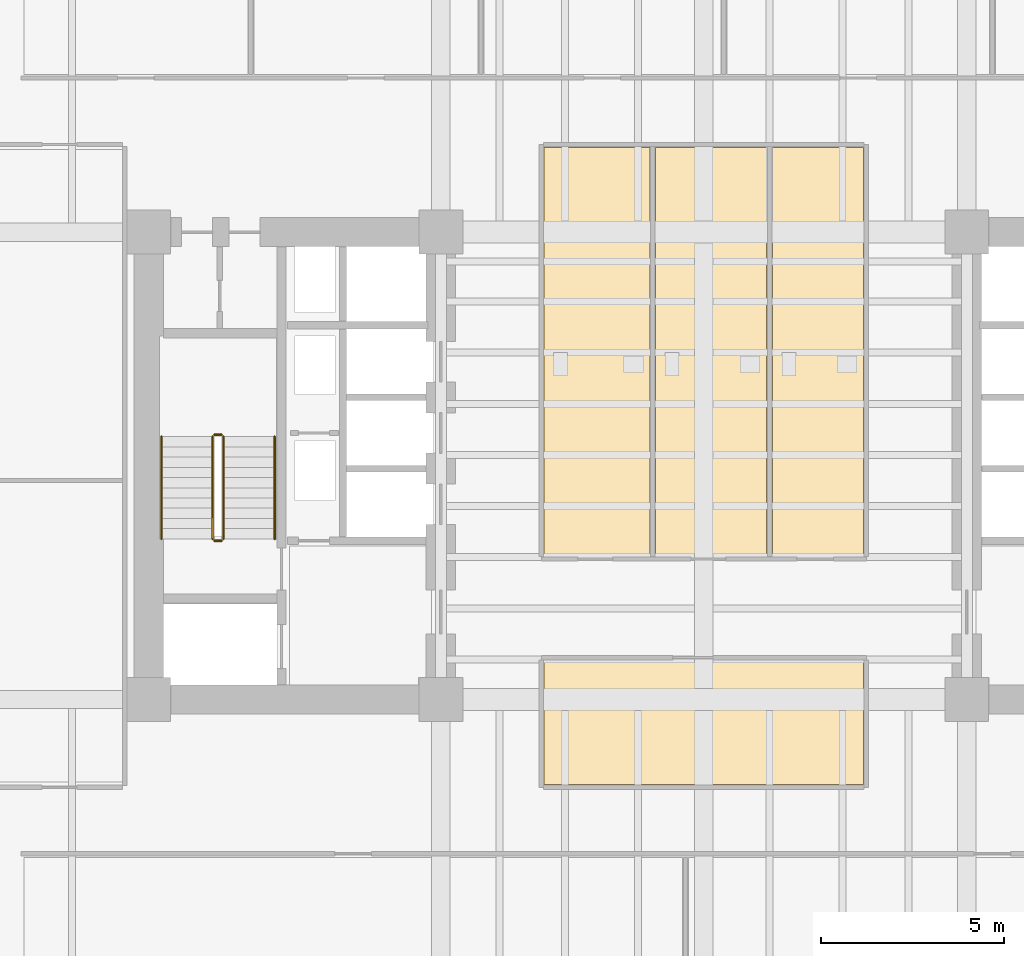
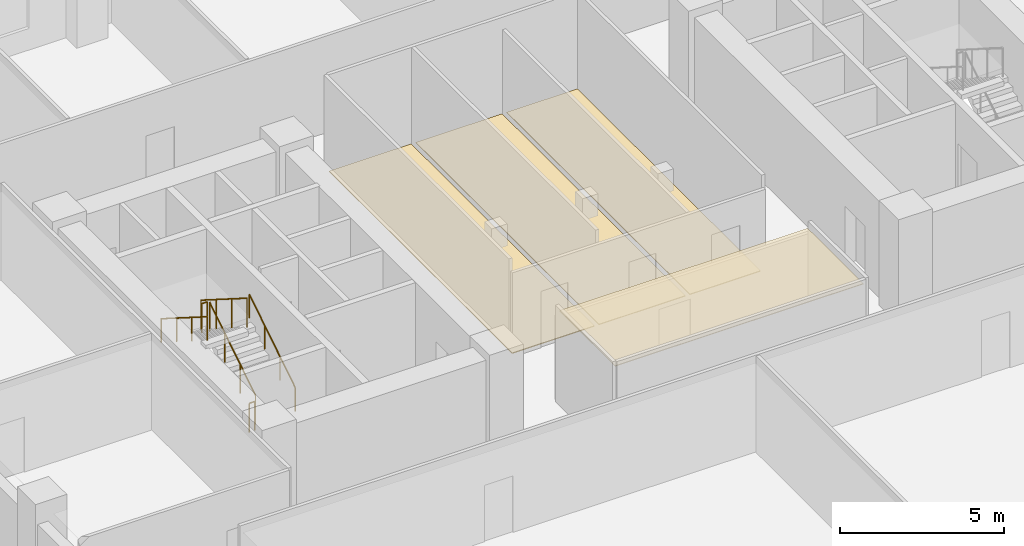
# One storey, part 7 of 10: 6 railings, 4 coverings.
"""IFC4 building model written with IfcOpenShell, lengths in metres."""

from ifc_helpers import new_model, si_unit, direction, frame, origin, origin_2d, place, context, subcontext, project, spatial, polyline, circle, outline, extrude, material, layer, layer_set, type_object, element, save


model = new_model("IFC4")

# Units and contexts
model_context = context("Model", 3, precision=1e-05, world=origin(), true_north=direction((0.0, 1.0)))
body_context = subcontext(model_context, "Body", "Model", "MODEL_VIEW")
ifc_project = project(units=[si_unit("LENGTHUNIT", "METRE"), si_unit("AREAUNIT", "SQUARE_METRE"), si_unit("VOLUMEUNIT", "CUBIC_METRE"), si_unit("PLANEANGLEUNIT", "RADIAN"), si_unit("MASSUNIT", "GRAM", prefix="KILO")], contexts=[model_context])

# Site, building, storey
site_placement = place(None, origin())
site = spatial("IfcSite", under=ifc_project, at=site_placement, CompositionType="ELEMENT")
building_placement = place(site_placement, origin())
building = spatial("IfcBuilding", under=site, at=building_placement, Name="Kranthara Brick Stack", CompositionType="ELEMENT")
storey_placement = place(building_placement, frame((0.0, 0.0, 32.10009765625)))
storey = spatial("IfcBuildingStorey", under=building, at=storey_placement, Name="L07", CompositionType="ELEMENT", Elevation=32.10009765625)

# Coverings
ifc_material_1 = material(Name="Perforated mineral-fibre acoustic ceiling tile", Category="other")
ifc_layer_1 = layer(ifc_material_1, 0.02490234375)
ifc_layer_set_1 = layer_set([ifc_layer_1], Name="Perforated mineral-fibre acoustic ceiling tile")
covering_type_1 = type_object("IfcCoveringType", Name="COV-CEIL-ACOUSTIC", PredefinedType="CEILING", material=ifc_layer_set_1)
covering_1_placement = place(storey_placement, frame((0.0, 0.0, 3.329833984375)))
element("IfcCovering", 1, at=covering_1_placement, inside=storey, type_object=covering_type_1, Name="L07 L07 Central Executive Briefing Room Acoustic Ceiling", PredefinedType="CEILING", context=body_context, shape_type="SweptSolid", body=[
    extrude(outline(polyline([(32.3701171875, 18.47998046875), (32.3701171875, 21.8798828125), (23.6298828125, 21.8798828125), (23.6298828125, 18.47998046875), (32.3701171875, 18.47998046875)])), origin(), (0.0, 0.0, 1.0), 0.025146484375),
])
ifc_material_2 = material(Name="Honed terrazzo and porcelain floor finish", Category="stone")
ifc_layer_2 = layer(ifc_material_2, 0.030029296875)
ifc_layer_set_2 = layer_set([ifc_layer_2], Name="Honed terrazzo and porcelain floor finish")
covering_type_2 = type_object("IfcCoveringType", Name="COV-FLOR-STONE", PredefinedType="FLOORING", material=ifc_layer_set_2)
covering_2_placement = place(storey_placement, origin())
element("IfcCovering", 2, at=covering_2_placement, inside=storey, type_object=covering_type_2, Name="L07 Wet Room Porcelain Flooring", PredefinedType="FLOORING", context=body_context, shape_type="SweptSolid", body=[
    extrude(outline(polyline([(26.52001953125, 24.75), (26.52001953125, 35.919921875), (23.6298828125, 35.919921875), (23.6298828125, 24.75), (26.52001953125, 24.75)])), origin(), (0.0, 0.0, 1.0), 0.02978515625),
])
covering_3_placement = place(storey_placement, origin())
element("IfcCovering", 3, at=covering_3_placement, inside=storey, type_object=covering_type_2, Name="L07 Wet Room Porcelain Flooring", PredefinedType="FLOORING", context=body_context, shape_type="SweptSolid", body=[
    extrude(outline(polyline([(29.719970703125, 24.75), (29.719970703125, 35.919921875), (26.679931640625, 35.919921875), (26.679931640625, 24.75), (29.719970703125, 24.75)])), origin(), (0.0, 0.0, 1.0), 0.02978515625),
])
covering_4_placement = place(storey_placement, origin())
element("IfcCovering", 4, at=covering_4_placement, inside=storey, type_object=covering_type_2, Name="L07 Wet Room Porcelain Flooring", PredefinedType="FLOORING", context=body_context, shape_type="SweptSolid", body=[
    extrude(outline(polyline([(32.3701171875, 24.75), (32.3701171875, 35.919921875), (29.8798828125, 35.919921875), (29.8798828125, 24.75), (32.3701171875, 24.75)])), origin(), (0.0, 0.0, 1.0), 0.02978515625),
])

# Railings
ifc_material_3 = material(Name="Painted galvanized steel stair guardrail", Category="steel")
railing_type_1 = type_object("IfcRailingType", Name="RL-STAIR-GUARD-1100", PredefinedType="GUARDRAIL", material=ifc_material_3)
railing_1_placement = place(storey_placement, frame((14.85009765625, 25.199951171875, 0.17724609375)))
element("IfcRailing", 5, at=railing_1_placement, inside=storey, type_object=railing_type_1, Name="L07 ST01 stair guard 1", PredefinedType="GUARDRAIL", context=body_context, shape_type="SweptSolid", body=[
    extrude(circle(Radius=0.02392578125, at=origin_2d()), frame((0.0, 0.0, 1.076171875), z_axis=(0.0, 0.844908973607, 0.534910110503), x_axis=(-1.0, 0.0, 0.0)), (0.0, 0.0, 1.0), 3.31396484375),
    extrude(circle(Radius=0.02099609375, at=origin_2d()), origin(), (0.0, 0.0, 1.0), 1.052001953125),
    extrude(circle(Radius=0.02099609375, at=origin_2d()), frame((0.0, 0.933349609375, 0.5908203125)), (0.0, 0.0, 1.0), 1.052001953125),
    extrude(circle(Radius=0.02099609375, at=origin_2d()), frame((0.0, 1.86669921875, 1.181884765625)), (0.0, 0.0, 1.0), 1.052001953125),
    extrude(circle(Radius=0.02099609375, at=origin_2d()), frame((0.0, 2.800048828125, 1.772705078125)), (0.0, 0.0, 1.0), 1.052001953125),
])
railing_2_placement = place(storey_placement, frame((14.800048828125, 28.050048828125, 1.949951171875)))
element("IfcRailing", 6, at=railing_2_placement, inside=storey, type_object=railing_type_1, Name="L07 ST01 stair guard 2", PredefinedType="GUARDRAIL", context=body_context, shape_type="SweptSolid", body=[
    extrude(circle(Radius=0.02392578125, at=origin_2d()), frame((0.0, 0.0, 1.076171875), z_axis=(-1.0, 0.0, 0.0), x_axis=(0.0, -1.0, 0.0)), (0.0, 0.0, 1.0), 0.199951171875),
    extrude(circle(Radius=0.02099609375, at=origin_2d()), origin(), (0.0, 0.0, 1.0), 1.052001953125),
    extrude(circle(Radius=0.02099609375, at=origin_2d()), frame((-0.199951171875, 0.0, 0.0)), (0.0, 0.0, 1.0), 1.052001953125),
])
railing_3_placement = place(storey_placement, frame((14.550048828125, 28.0, 2.127197265625)))
element("IfcRailing", 7, at=railing_3_placement, inside=storey, type_object=railing_type_1, Name="L07 ST01 stair guard 3", PredefinedType="GUARDRAIL", context=body_context, shape_type="SweptSolid", body=[
    extrude(circle(Radius=0.02392578125, at=origin_2d()), frame((0.0, 0.0, 1.076171875), z_axis=(0.0, -0.844908973607, 0.534910110503), x_axis=(1.0, 0.0, 0.0)), (0.0, 0.0, 1.0), 3.31396484375),
    extrude(circle(Radius=0.02099609375, at=origin_2d()), origin(), (0.0, 0.0, 1.0), 1.052001953125),
    extrude(circle(Radius=0.02099609375, at=origin_2d()), frame((0.0, -0.933349609375, 0.5908203125)), (0.0, 0.0, 1.0), 1.052001953125),
    extrude(circle(Radius=0.02099609375, at=origin_2d()), frame((0.0, -1.86669921875, 1.181884765625)), (0.0, 0.0, 1.0), 1.052001953125),
    extrude(circle(Radius=0.02099609375, at=origin_2d()), frame((0.0, -2.800048828125, 1.772705078125)), (0.0, 0.0, 1.0), 1.052001953125),
])
railing_4_placement = place(storey_placement, frame((14.800048828125, 25.14990234375, 0.0)))
element("IfcRailing", 8, at=railing_4_placement, inside=storey, type_object=railing_type_1, Name="L07 ST01 stair guard 4", PredefinedType="GUARDRAIL", context=body_context, shape_type="SweptSolid", body=[
    extrude(circle(Radius=0.02392578125, at=origin_2d()), frame((0.0, 0.0, 1.076171875), z_axis=(-1.0, 0.0, 0.0), x_axis=(0.0, -1.0, 0.0)), (0.0, 0.0, 1.0), 0.199951171875),
    extrude(circle(Radius=0.02099609375, at=origin_2d()), origin(), (0.0, 0.0, 1.0), 1.052001953125),
    extrude(circle(Radius=0.02099609375, at=origin_2d()), frame((-0.199951171875, 0.0, 0.0)), (0.0, 0.0, 1.0), 1.052001953125),
])
ifc_material_4 = material(Name="Brushed stainless steel tubular handrail", Category="steel")
railing_type_2 = type_object("IfcRailingType", Name="RL-STAIR-HAND-900", PredefinedType="HANDRAIL", material=ifc_material_4)
railing_5_placement = place(storey_placement, frame((16.25, 25.199951171875, 0.17724609375)))
element("IfcRailing", 9, at=railing_5_placement, inside=storey, type_object=railing_type_2, Name="L07 ST01 stair handrail 1", PredefinedType="HANDRAIL", context=body_context, shape_type="SweptSolid", body=[
    extrude(circle(Radius=0.02392578125, at=origin_2d()), frame((0.0, 0.0, 0.8759765625), z_axis=(0.0, 0.844908973607, 0.534910110503), x_axis=(-1.0, 0.0, 0.0)), (0.0, 0.0, 1.0), 3.31396484375),
    extrude(circle(Radius=0.02099609375, at=origin_2d()), origin(), (0.0, 0.0, 1.0), 0.851806640625),
    extrude(circle(Radius=0.02099609375, at=origin_2d()), frame((0.0, 0.933349609375, 0.5908203125)), (0.0, 0.0, 1.0), 0.851806640625),
    extrude(circle(Radius=0.02099609375, at=origin_2d()), frame((0.0, 1.86669921875, 1.181884765625)), (0.0, 0.0, 1.0), 0.851806640625),
    extrude(circle(Radius=0.02099609375, at=origin_2d()), frame((0.0, 2.800048828125, 1.772705078125)), (0.0, 0.0, 1.0), 0.851806640625),
])
railing_6_placement = place(storey_placement, frame((13.14990234375, 28.0, 2.127197265625)))
element("IfcRailing", 10, at=railing_6_placement, inside=storey, type_object=railing_type_2, Name="L07 ST01 stair handrail 2", PredefinedType="HANDRAIL", context=body_context, shape_type="SweptSolid", body=[
    extrude(circle(Radius=0.02392578125, at=origin_2d()), frame((0.0, 0.0, 0.8759765625), z_axis=(0.0, -0.844908973607, 0.534910110503), x_axis=(1.0, 0.0, 0.0)), (0.0, 0.0, 1.0), 3.31396484375),
    extrude(circle(Radius=0.02099609375, at=origin_2d()), origin(), (0.0, 0.0, 1.0), 0.851806640625),
    extrude(circle(Radius=0.02099609375, at=origin_2d()), frame((0.0, -0.933349609375, 0.5908203125)), (0.0, 0.0, 1.0), 0.851806640625),
    extrude(circle(Radius=0.02099609375, at=origin_2d()), frame((0.0, -1.86669921875, 1.181884765625)), (0.0, 0.0, 1.0), 0.851806640625),
    extrude(circle(Radius=0.02099609375, at=origin_2d()), frame((0.0, -2.800048828125, 1.772705078125)), (0.0, 0.0, 1.0), 0.851806640625),
])

save(model, "model.ifc")
